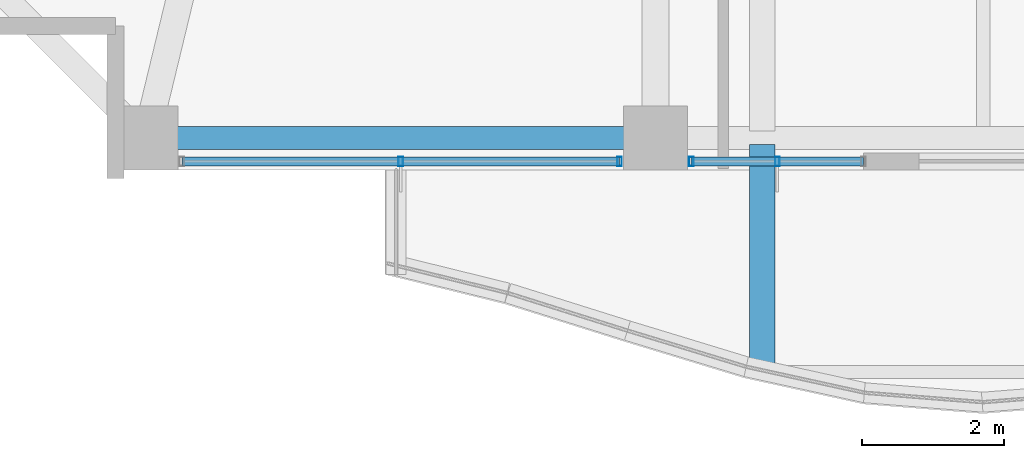
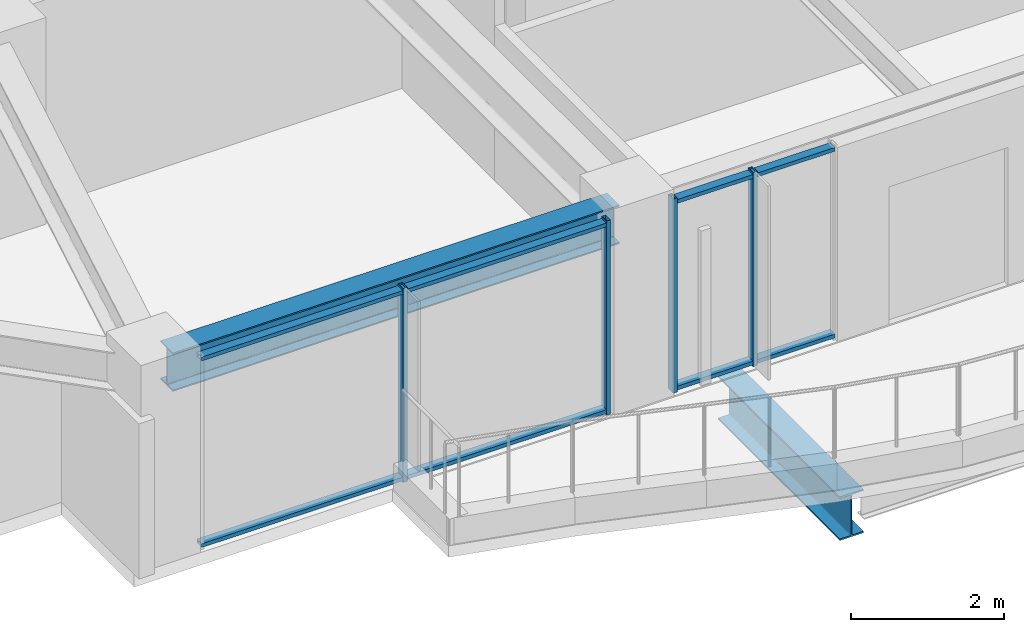
# One storey, part 3 of 31: 8 members, 2 beams, 2 elements without a shape of their own.
"""IFC4 building model written with IfcOpenShell, lengths in metres."""

from ifc_helpers import new_model, si_unit, direction, frame, origin, origin_2d, place, context, subcontext, project, spatial, hollow_rectangle, i_section, extrude, material, material_profile, profile_set, type_object, element, aggregate, save


model = new_model("IFC4")

# Units and contexts
model_context = context("Model", 3, precision=1e-05, world=origin(), true_north=direction((0.0, 1.0)))
body_context = subcontext(model_context, "Body", "Model", "MODEL_VIEW")
ifc_project = project(units=[si_unit("LENGTHUNIT", "METRE"), si_unit("AREAUNIT", "SQUARE_METRE"), si_unit("VOLUMEUNIT", "CUBIC_METRE"), si_unit("PLANEANGLEUNIT", "RADIAN"), si_unit("MASSUNIT", "GRAM", prefix="KILO")], contexts=[model_context])

# Site, building, storey
site_placement = place(None, origin())
site = spatial("IfcSite", under=ifc_project, at=site_placement, CompositionType="ELEMENT")
building_placement = place(site_placement, origin())
building = spatial("IfcBuilding", under=site, at=building_placement, Name="Kolvaren Belvedere", CompositionType="ELEMENT")
storey_placement = place(building_placement, frame((0.0, 0.0, 134.89990234375)))
storey = spatial("IfcBuildingStorey", under=building, at=storey_placement, Name="L39", CompositionType="ELEMENT", Elevation=134.89990234375)

# Beams
ifc_material_1 = material(Name="Structural steel ASTM A992 Grade 50", Category="steel")
ifc_material_profile_1 = material_profile(ifc_material_1, i_section(OverallWidth=0.35498046875, OverallDepth=0.696044921875, WebThickness=0.015380859375, FlangeThickness=0.02490234375, FilletRadius=0.02197265625, at=origin_2d()), Name="W27X146")
ifc_profile_set_1 = profile_set([ifc_material_profile_1], Name="Structural steel ASTM A992 Grade 50")
beam_type_1 = type_object("IfcBeamType", Name="BM-CANT-BAL", PredefinedType="BEAM", material=ifc_profile_set_1)
beam_1_placement = place(storey_placement, frame((-3.10009765625, -17.64501953125, -0.5478515625), z_axis=(0.0, -1.0, 0.0), x_axis=(1.0, 0.0, 0.0)))
element("IfcBeam", 1, at=beam_1_placement, inside=storey, type_object=beam_type_1, Name="L39 Planted Balcony Cantilever BAL-S-1", PredefinedType="BEAM", context=body_context, shape_type="SweptSolid", body=[
    extrude(i_section(OverallWidth=0.35498046875, OverallDepth=0.696044921875, WebThickness=0.015380859375, FlangeThickness=0.02490234375, FilletRadius=0.02197265625, at=origin_2d()), origin(), (0.0, 0.0, 1.0), 3.190673828125),
])
ifc_material_2 = material(Name="Structural steel ASTM A992 Grade 50", Category="steel")
ifc_material_profile_2 = material_profile(ifc_material_2, i_section(OverallWidth=0.324951171875, OverallDepth=0.615966796875, WebThickness=0.013916015625, FlangeThickness=0.021484375, FilletRadius=0.02001953125, at=origin_2d()), Name="W24X117")
ifc_profile_set_2 = profile_set([ifc_material_profile_2], Name="Structural steel ASTM A992 Grade 50")
beam_type_2 = type_object("IfcBeamType", Name="BM-SPAN-W24X117", PredefinedType="SPANDREL", material=ifc_profile_set_2)
beam_2_placement = place(storey_placement, frame((-11.547607421875, -17.550048828125, 2.7919921875), z_axis=(1.0, 0.0, 0.0), x_axis=(0.0, 1.0, 0.0)))
element("IfcBeam", 2, at=beam_2_placement, inside=storey, type_object=beam_type_2, Name="L39 Perimeter Spandrel S1-S2", PredefinedType="SPANDREL", context=body_context, shape_type="SweptSolid", body=[
    extrude(i_section(OverallWidth=0.324951171875, OverallDepth=0.615966796875, WebThickness=0.013916015625, FlangeThickness=0.021484375, FilletRadius=0.02001953125, at=origin_2d()), origin(), (0.0, 0.0, 1.0), 6.7451171875),
])

# Curtain wall, members
ifc_material_3 = material(Name="Anodised pale-metal aluminium AA 6063-T6", Category="aluminium")
curtain_wall_type = type_object("IfcCurtainWallType", Name="CW-Z3-WAIST", PredefinedType="NOTDEFINED", material=ifc_material_3)
curtain_wall_1_placement = place(storey_placement, origin())
curtain_wall_1 = element("IfcCurtainWall", 3, at=curtain_wall_1_placement, inside=storey, type_object=curtain_wall_type, Name="L39 Unitised Curtain Wall FCW-L39-S2-B1", PredefinedType="NOTDEFINED")
ifc_material_4 = material(Name="Anodised pale-metal aluminium AA 6063-T6", Category="aluminium")
ifc_material_profile_3 = material_profile(ifc_material_4, hollow_rectangle(XDim=0.06494140625, YDim=0.1298828125, WallThickness=0.00390625, at=origin_2d()), Name="ALU-MUL-130X65")
ifc_profile_set_3 = profile_set([ifc_material_profile_3], Name="Anodised pale-metal aluminium AA 6063-T6")
member_type_1 = type_object("IfcMemberType", Name="CW-MUL-130", PredefinedType="MULLION", material=ifc_profile_set_3)
member_1_placement = place(storey_placement, frame((-2.888671875, -17.8798828125, 0.0), z_axis=(0.0, 0.0, 1.0), x_axis=(1.0, 0.0, 0.0)))
member_1 = element("IfcMember", 4, at=member_1_placement, type_object=member_type_1, Name="FCW-L39-S2-B1 Unitised Mullion 2", PredefinedType="MULLION", context=body_context, shape_type="SweptSolid", body=[
    extrude(hollow_rectangle(XDim=0.06494140625, YDim=0.1298828125, WallThickness=0.00390625, at=origin_2d()), origin(), (0.0, 0.0, 1.0), 3.10009765625),
])
member_2_placement = place(storey_placement, frame((-4.097412109375, -17.8798828125, 0.0), z_axis=(0.0, 0.0, 1.0), x_axis=(1.0, 0.0, 0.0)))
member_2 = element("IfcMember", 5, at=member_2_placement, type_object=member_type_1, Name="FCW-L39-S2-B1 Unitised Mullion 3", PredefinedType="MULLION", context=body_context, shape_type="SweptSolid", body=[
    extrude(hollow_rectangle(XDim=0.06494140625, YDim=0.1298828125, WallThickness=0.00390625, at=origin_2d()), origin(), (0.0, 0.0, 1.0), 3.10009765625),
])

curtain_wall_2_placement = place(storey_placement, origin())
curtain_wall_2 = element("IfcCurtainWall", 6, at=curtain_wall_2_placement, inside=storey, type_object=curtain_wall_type, Name="L39 Unitised Curtain Wall FCW-L39-S2-B2", PredefinedType="NOTDEFINED")
member_3_placement = place(storey_placement, frame((-5.1025390625, -17.8798828125, 0.0), z_axis=(0.0, 0.0, 1.0), x_axis=(1.0, 0.0, 0.0)))
member_3 = element("IfcMember", 7, at=member_3_placement, type_object=member_type_1, Name="FCW-L39-S2-B2 Unitised Mullion 1", PredefinedType="MULLION", context=body_context, shape_type="SweptSolid", body=[
    extrude(hollow_rectangle(XDim=0.06494140625, YDim=0.1298828125, WallThickness=0.00390625, at=origin_2d()), origin(), (0.0, 0.0, 1.0), 3.10009765625),
])
member_4_placement = place(storey_placement, frame((-8.175048828125, -17.8798828125, 0.0), z_axis=(0.0, 0.0, 1.0), x_axis=(1.0, 0.0, 0.0)))
member_4 = element("IfcMember", 8, at=member_4_placement, type_object=member_type_1, Name="FCW-L39-S2-B2 Unitised Mullion 2", PredefinedType="MULLION", context=body_context, shape_type="SweptSolid", body=[
    extrude(hollow_rectangle(XDim=0.06494140625, YDim=0.1298828125, WallThickness=0.00390625, at=origin_2d()), origin(), (0.0, 0.0, 1.0), 3.10009765625),
])

# Member
ifc_material_5 = material(Name="Anodised pale-metal aluminium AA 6063-T6", Category="aluminium")
ifc_material_profile_4 = material_profile(ifc_material_5, hollow_rectangle(XDim=0.06005859375, YDim=0.1298828125, WallThickness=0.00390625, at=origin_2d()), Name="ALU-TRN-130X60")
ifc_profile_set_4 = profile_set([ifc_material_profile_4], Name="Anodised pale-metal aluminium AA 6063-T6")
member_type_2 = type_object("IfcMemberType", Name="CW-TRN-130", PredefinedType="USERDEFINED", material=ifc_profile_set_4)
member_5_placement = place(storey_placement, frame((-1.679931640625, -17.8798828125, 0.06005859375), z_axis=(-1.0, 0.0, 0.0), x_axis=(0.0, 0.0, 1.0)))
member_5 = element("IfcMember", 9, at=member_5_placement, type_object=member_type_2, Name="FCW-L39-S2-B1 Sill Transom", ObjectType="TRANSOM", PredefinedType="USERDEFINED", context=body_context, shape_type="SweptSolid", body=[
    extrude(hollow_rectangle(XDim=0.06005859375, YDim=0.1298828125, WallThickness=0.00390625, at=origin_2d()), origin(), (0.0, 0.0, 1.0), 2.41748046875),
])

member_6_placement = place(storey_placement, frame((-1.679931640625, -17.8798828125, 3.0400390625), z_axis=(-1.0, 0.0, 0.0), x_axis=(0.0, 0.0, 1.0)))
member_6 = element("IfcMember", 10, at=member_6_placement, type_object=member_type_2, Name="FCW-L39-S2-B1 Head Transom", ObjectType="TRANSOM", PredefinedType="USERDEFINED", context=body_context, shape_type="SweptSolid", body=[
    extrude(hollow_rectangle(XDim=0.06005859375, YDim=0.1298828125, WallThickness=0.00390625, at=origin_2d()), origin(), (0.0, 0.0, 1.0), 2.41748046875),
])

aggregate(curtain_wall_1, [member_1, member_2, member_5, member_6])

member_7_placement = place(storey_placement, frame((-5.1025390625, -17.8798828125, 0.06005859375), z_axis=(-1.0, 0.0, 0.0), x_axis=(0.0, 0.0, 1.0)))
member_7 = element("IfcMember", 11, at=member_7_placement, type_object=member_type_2, Name="FCW-L39-S2-B2 Sill Transom", ObjectType="TRANSOM", PredefinedType="USERDEFINED", context=body_context, shape_type="SweptSolid", body=[
    extrude(hollow_rectangle(XDim=0.06005859375, YDim=0.1298828125, WallThickness=0.00390625, at=origin_2d()), origin(), (0.0, 0.0, 1.0), 6.14501953125),
])

member_8_placement = place(storey_placement, frame((-5.1025390625, -17.8798828125, 3.0400390625), z_axis=(-1.0, 0.0, 0.0), x_axis=(0.0, 0.0, 1.0)))
member_8 = element("IfcMember", 12, at=member_8_placement, type_object=member_type_2, Name="FCW-L39-S2-B2 Head Transom", ObjectType="TRANSOM", PredefinedType="USERDEFINED", context=body_context, shape_type="SweptSolid", body=[
    extrude(hollow_rectangle(XDim=0.06005859375, YDim=0.1298828125, WallThickness=0.00390625, at=origin_2d()), origin(), (0.0, 0.0, 1.0), 6.14501953125),
])

aggregate(curtain_wall_2, [member_3, member_4, member_7, member_8])

save(model, "model.ifc")
